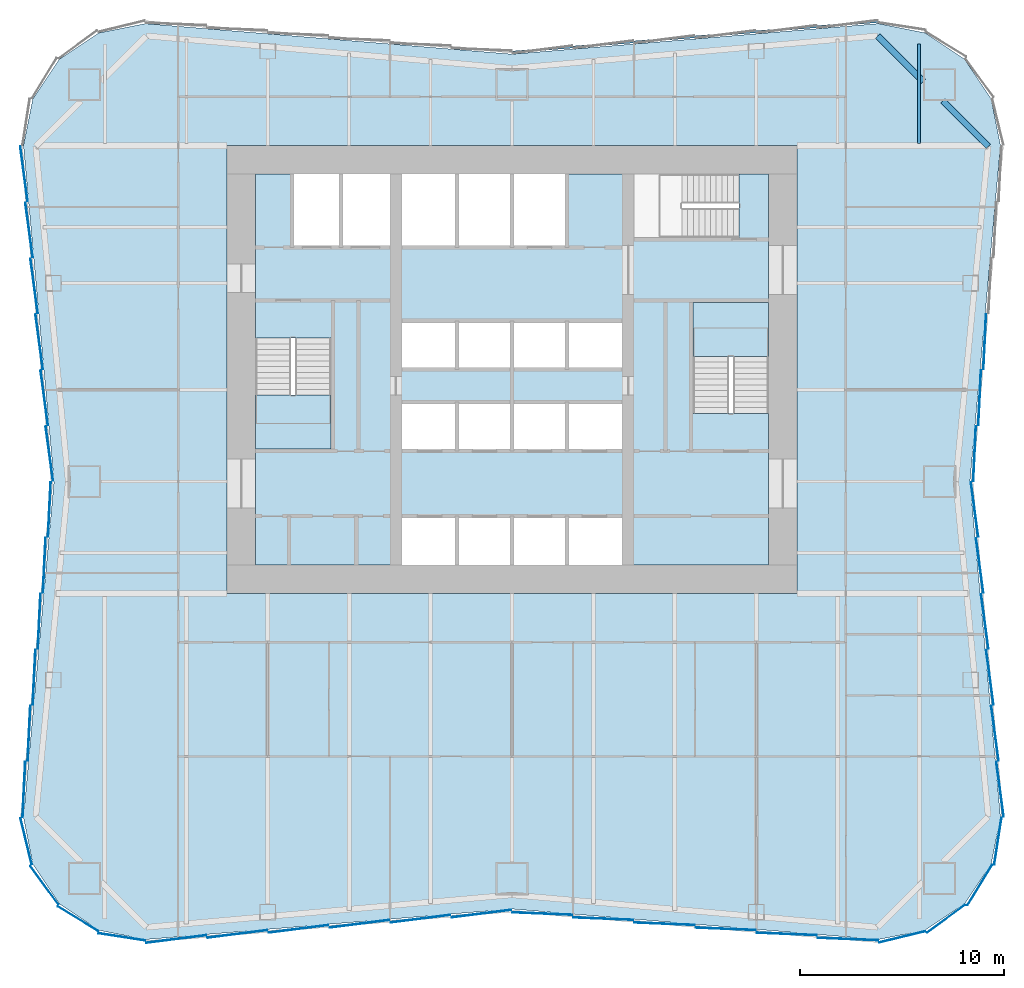
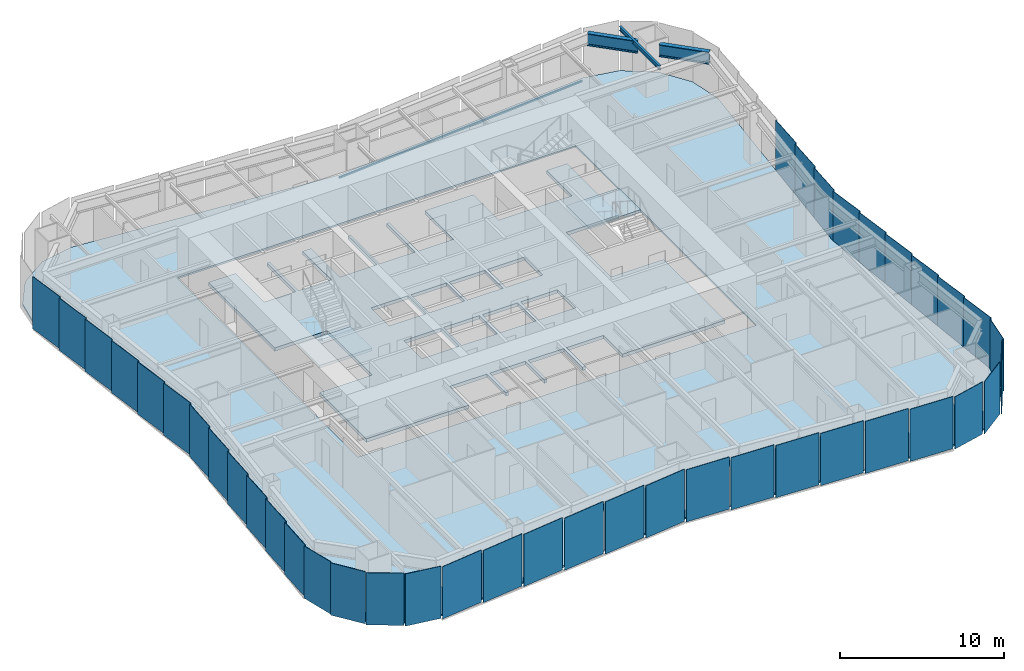
# One storey, part 2 of 7: 41 plates, 4 slabs, 3 beams, 1 member, 8 elements without a shape of their own.
"""IFC4 building model written with IfcOpenShell, lengths in metres."""

from ifc_helpers import new_model, si_unit, direction, frame, origin, origin_2d, place, context, subcontext, project, spatial, polyline, rectangle, i_section, outline, extrude, material, layer, layer_set, material_profile, profile_set, type_object, element, aggregate, save


model = new_model("IFC4")

# Units and contexts
model_context = context("Model", 3, precision=1e-05, world=origin(), true_north=direction((0.0, 1.0)))
body_context = subcontext(model_context, "Body", "Model", "MODEL_VIEW")
ifc_project = project(units=[si_unit("LENGTHUNIT", "METRE"), si_unit("AREAUNIT", "SQUARE_METRE"), si_unit("VOLUMEUNIT", "CUBIC_METRE"), si_unit("PLANEANGLEUNIT", "RADIAN"), si_unit("MASSUNIT", "GRAM", prefix="KILO")], contexts=[model_context])

# Site, building, storey
site_placement = place(None, origin())
site = spatial("IfcSite", under=ifc_project, at=site_placement, CompositionType="ELEMENT")
building_placement = place(site_placement, origin())
building = spatial("IfcBuilding", under=site, at=building_placement, Name="Verdant Reach Tower", CompositionType="ELEMENT")
storey_placement = place(building_placement, frame((0.0, 0.0, 54.0)))
storey = spatial("IfcBuildingStorey", under=building, at=storey_placement, Name="L12", CompositionType="ELEMENT", Elevation=54.0)

# Curtain wall, member
ifc_material_1 = material(Name="Anodised aluminium", Category="aluminium")
curtain_wall_type = type_object("IfcCurtainWallType", Name="EN-CW SYSTEM Z0", PredefinedType="NOTDEFINED", material=ifc_material_1)
curtain_wall_1_placement = place(storey_placement, origin())
curtain_wall_1 = element("IfcCurtainWall", 1, at=curtain_wall_1_placement, inside=storey, type_object=curtain_wall_type, Name="Curtain wall north, L12", PredefinedType="NOTDEFINED")
ifc_material_profile_1 = material_profile(ifc_material_1, rectangle(XDim=0.10009765625, YDim=0.1201171875, at=origin_2d()), Name="Transom 120x100")
ifc_profile_set_1 = profile_set([ifc_material_profile_1], Name="Anodised aluminium")
member_type = type_object("IfcMemberType", Name="EN-TRANSOM Z0", PredefinedType="USERDEFINED", material=ifc_profile_set_1)
member_placement = place(storey_placement, frame((17.975830078125, 45.097412109375, -0.2900390625), z_axis=(-0.996548656072, -0.083010698588, 0.0), x_axis=(0.083010698588, -0.996548656072, 0.0)))
member = element("IfcMember", 2, at=member_placement, type_object=member_type, Name="Transom north face part 1 1.1, L12", ObjectType="TRANSOM", PredefinedType="USERDEFINED", context=body_context, shape_type="SweptSolid", body=[
    extrude(rectangle(XDim=0.10009765625, YDim=0.1201171875, at=origin_2d()), origin(), (0.0, 0.0, 1.0), 18.00830078125),
])
aggregate(curtain_wall_1, [member])

# Beams
ifc_material_2 = material(Name="Steel S355", Category="steel")
ifc_material_profile_2 = material_profile(ifc_material_2, i_section(OverallWidth=0.14990234375, OverallDepth=0.300048828125, WebThickness=0.007080078125, FlangeThickness=0.0107421875, FilletRadius=0.014892578125, at=origin_2d()), Name="IPE 300")
ifc_profile_set_2 = profile_set([ifc_material_profile_2], Name="Steel S355")
beam_type_1 = type_object("IfcBeamType", Name="ST-JOIST-IPE300", PredefinedType="JOIST", material=ifc_profile_set_2)
beam_1_placement = place(storey_placement, frame((20.0, 39.10009765625, 3.60009765625), z_axis=(0.0, 1.0, 0.0), x_axis=(-1.0, 0.0, 0.0)))
element("IfcBeam", 3, at=beam_1_placement, inside=storey, type_object=beam_type_1, Name="Floor joist, L12", PredefinedType="JOIST", context=body_context, shape_type="SweptSolid", body=[
    extrude(i_section(OverallWidth=0.14990234375, OverallDepth=0.300048828125, WebThickness=0.007080078125, FlangeThickness=0.0107421875, FilletRadius=0.014892578125, at=origin_2d()), origin(), (0.0, 0.0, 1.0), 4.890380859375),
])
ifc_material_profile_3 = material_profile(ifc_material_2, i_section(OverallWidth=0.302001953125, OverallDepth=0.909912109375, WebThickness=0.02099609375, FlangeThickness=0.0400390625, FilletRadius=0.030029296875, at=origin_2d()), Name="HEM 900")
ifc_profile_set_3 = profile_set([ifc_material_profile_3], Name="Steel S355")
beam_type_2 = type_object("IfcBeamType", Name="ST-SPANDREL-HEM900", PredefinedType="SPANDREL", material=ifc_profile_set_3)
beam_2_placement = place(storey_placement, frame((17.9658203125, 44.39501953125, 3.294921875), z_axis=(0.707222697162, -0.706990846206, 0.0), x_axis=(0.706990846206, 0.707222697162, 0.0)))
element("IfcBeam", 4, at=beam_2_placement, inside=storey, type_object=beam_type_2, Name="Edge beam, L12", PredefinedType="SPANDREL", context=body_context, shape_type="SweptSolid", body=[
    extrude(i_section(OverallWidth=0.302001953125, OverallDepth=0.909912109375, WebThickness=0.02099609375, FlangeThickness=0.0400390625, FilletRadius=0.030029296875, at=origin_2d()), origin(), (0.0, 0.0, 1.0), 3.158935546875),
])
beam_3_placement = place(storey_placement, frame((21.161865234375, 41.199951171875, 3.294921875), z_axis=(0.70722277322, -0.706990770123, 0.0), x_axis=(0.706990770123, 0.70722277322, 0.0)))
element("IfcBeam", 5, at=beam_3_placement, inside=storey, type_object=beam_type_2, Name="Edge beam, L12", PredefinedType="SPANDREL", context=body_context, shape_type="SweptSolid", body=[
    extrude(i_section(OverallWidth=0.302001953125, OverallDepth=0.909912109375, WebThickness=0.02099609375, FlangeThickness=0.0400390625, FilletRadius=0.030029296875, at=origin_2d()), origin(), (0.0, 0.0, 1.0), 3.156982421875),
])

# Stair, slab
ifc_material_3 = material(Name="Concrete C40/50", Category="concrete")
stair_type = type_object("IfcStairType", Name="CO-STAIR", PredefinedType="HALF_TURN_STAIR", material=ifc_material_3)
stair_1_placement = place(storey_placement, origin())
stair_1 = element("IfcStair", 6, at=stair_1_placement, inside=storey, type_object=stair_type, Name="L12 Exit stair 1", PredefinedType="HALF_TURN_STAIR")
ifc_layer_1 = layer(ifc_material_3, 0.199951171875)
ifc_layer_set_1 = layer_set([ifc_layer_1], Name="CO-STAIR-LANDING")
slab_type_1 = type_object("IfcSlabType", Name="CO-STAIR-LANDING", PredefinedType="LANDING", material=ifc_layer_set_1)
slab_1_placement = place(storey_placement, frame((0.0, 0.0, 1.800048828125)))
slab_1 = element("IfcSlab", 7, at=slab_1_placement, type_object=slab_type_1, Name="ST-1 landing 1", PredefinedType="LANDING", context=body_context, shape_type="SweptSolid", body=[
    extrude(outline(polyline([(-12.60009765625, 26.75), (-12.60009765625, 24.10009765625), (-8.89990234375, 24.10009765625), (-8.89990234375, 26.75), (-12.60009765625, 26.75)])), origin(), (0.0, 0.0, 1.0), 0.199951171875),
])
aggregate(stair_1, [slab_1])

stair_2_placement = place(storey_placement, origin())
stair_2 = element("IfcStair", 8, at=stair_2_placement, inside=storey, type_object=stair_type, Name="L12 Exit stair 2", PredefinedType="HALF_TURN_STAIR")
slab_2_placement = place(storey_placement, frame((0.0, 0.0, 1.800048828125)))
slab_2 = element("IfcSlab", 9, at=slab_2_placement, type_object=slab_type_1, Name="ST-2 landing 1", PredefinedType="LANDING", context=body_context, shape_type="SweptSolid", body=[
    extrude(outline(polyline([(12.60009765625, 28.64990234375), (12.60009765625, 31.300048828125), (8.89990234375, 31.300048828125), (8.89990234375, 28.64990234375), (12.60009765625, 28.64990234375)])), origin(), (0.0, 0.0, 1.0), 0.199951171875),
])
aggregate(stair_2, [slab_2])

# Curtain wall, plates
curtain_wall_2_placement = place(storey_placement, origin())
curtain_wall_2 = element("IfcCurtainWall", 10, at=curtain_wall_2_placement, inside=storey, type_object=curtain_wall_type, Name="Curtain wall south-east corner, L12", PredefinedType="NOTDEFINED")
ifc_material_4 = material(Name="Tinted glass with champagne spandrel", Category="glass")
ifc_layer_2 = layer(ifc_material_4, 0.031982421875)
ifc_layer_set_2 = layer_set([ifc_layer_2], Name="EN-PANEL CHAMPAGNE")
plate_type_1 = type_object("IfcPlateType", Name="EN-PANEL CHAMPAGNE", PredefinedType="CURTAIN_PANEL", material=ifc_layer_set_2)
plate_1_placement = place(storey_placement, frame((19.169921875, 0.13232421875, -0.22998046875), z_axis=(0.0, 0.0, 1.0), x_axis=(0.97166347331, 0.236368556782, 0.0)))
plate_1 = element("IfcPlate", 11, at=plate_1_placement, type_object=plate_type_1, Name="Glass panel south-east corner 1.1, L12", PredefinedType="CURTAIN_PANEL", context=body_context, shape_type="SweptSolid", body=[
    extrude(rectangle(XDim=2.318603515625, YDim=0.031982421875, at=origin_2d()), origin(), (0.0, 0.0, 1.0), 3.8798828125),
])
plate_2_placement = place(storey_placement, frame((21.32373046875, 1.025390625, -0.22998046875), z_axis=(0.0, 0.0, 1.0), x_axis=(0.807456745624, 0.589926778461, 0.0)))
plate_2 = element("IfcPlate", 12, at=plate_2_placement, type_object=plate_type_1, Name="Glass panel south-east corner 2.1, L12", PredefinedType="CURTAIN_PANEL", context=body_context, shape_type="SweptSolid", body=[
    extrude(rectangle(XDim=2.32421875, YDim=0.031982421875, at=origin_2d()), origin(), (0.0, 0.0, 1.0), 3.8798828125),
])

curtain_wall_3_placement = place(storey_placement, origin())
curtain_wall_3 = element("IfcCurtainWall", 13, at=curtain_wall_3_placement, inside=storey, type_object=curtain_wall_type, Name="Curtain wall east, L12", PredefinedType="NOTDEFINED")
plate_3_placement = place(storey_placement, frame((23.974609375, 7.376953125, -0.22998046875), z_axis=(0.0, 0.0, 1.0), x_axis=(-0.131792939527, 0.991277267514, 0.0)))
plate_3 = element("IfcPlate", 14, at=plate_3_placement, type_object=plate_type_1, Name="Glass panel east face part 1 1.1, L12", PredefinedType="CURTAIN_PANEL", context=body_context, shape_type="SweptSolid", body=[
    extrude(rectangle(XDim=2.7197265625, YDim=0.031982421875, at=origin_2d()), origin(), (0.0, 0.0, 1.0), 3.8798828125),
])
plate_4_placement = place(storey_placement, frame((22.724853515625, 23.870361328125, -0.22998046875), z_axis=(0.0, 0.0, 1.0), x_axis=(0.048901687644, 0.998803596782, 0.0)))
plate_4 = element("IfcPlate", 15, at=plate_4_placement, type_object=plate_type_1, Name="Glass panel east face part 2 1.1, L12", PredefinedType="CURTAIN_PANEL", context=body_context, shape_type="SweptSolid", body=[
    extrude(rectangle(XDim=2.6962890625, YDim=0.031982421875, at=origin_2d()), origin(), (0.0, 0.0, 1.0), 3.8798828125),
])
plate_5_placement = place(storey_placement, frame((22.974609375, 26.615966796875, -0.22998046875), z_axis=(0.0, 0.0, 1.0), x_axis=(0.04875265175, 0.998810882473, 0.0)))
plate_5 = element("IfcPlate", 16, at=plate_5_placement, type_object=plate_type_1, Name="Glass panel east face part 2 2.1, L12", PredefinedType="CURTAIN_PANEL", context=body_context, shape_type="SweptSolid", body=[
    extrude(rectangle(XDim=2.705322265625, YDim=0.031982421875, at=origin_2d()), origin(), (0.0, 0.0, 1.0), 3.8798828125),
])

curtain_wall_4_placement = place(storey_placement, origin())
curtain_wall_4 = element("IfcCurtainWall", 17, at=curtain_wall_4_placement, inside=storey, type_object=curtain_wall_type, Name="Curtain wall west, L12", PredefinedType="NOTDEFINED")
plate_6_placement = place(storey_placement, frame((-23.474609375, 32.115966796875, -0.22998046875), z_axis=(0.0, 0.0, 1.0), x_axis=(0.132160009881, -0.99122839537, 0.0)))
plate_6 = element("IfcPlate", 18, at=plate_6_placement, type_object=plate_type_1, Name="Glass panel west face part 1 3.1, L12", PredefinedType="CURTAIN_PANEL", context=body_context, shape_type="SweptSolid", body=[
    extrude(rectangle(XDim=2.705322265625, YDim=0.031982421875, at=origin_2d()), origin(), (0.0, 0.0, 1.0), 3.8798828125),
])
plate_7_placement = place(storey_placement, frame((-23.224609375, 29.365966796875, -0.22998046875), z_axis=(0.0, 0.0, 1.0), x_axis=(0.132160009881, -0.99122839537, 0.0)))
plate_7 = element("IfcPlate", 19, at=plate_7_placement, type_object=plate_type_1, Name="Glass panel west face part 1 4.1, L12", PredefinedType="CURTAIN_PANEL", context=body_context, shape_type="SweptSolid", body=[
    extrude(rectangle(XDim=2.705322265625, YDim=0.031982421875, at=origin_2d()), origin(), (0.0, 0.0, 1.0), 3.8798828125),
])
plate_8_placement = place(storey_placement, frame((-22.974609375, 26.615966796875, -0.22998046875), z_axis=(0.0, 0.0, 1.0), x_axis=(0.132160009881, -0.99122839537, 0.0)))
plate_8 = element("IfcPlate", 20, at=plate_8_placement, type_object=plate_type_1, Name="Glass panel west face part 1 5.1, L12", PredefinedType="CURTAIN_PANEL", context=body_context, shape_type="SweptSolid", body=[
    extrude(rectangle(XDim=2.705322265625, YDim=0.031982421875, at=origin_2d()), origin(), (0.0, 0.0, 1.0), 3.8798828125),
])
plate_9_placement = place(storey_placement, frame((-23.724609375, 10.134033203125, -0.22998046875), z_axis=(0.0, 0.0, 1.0), x_axis=(-0.04875265175, -0.998810882473, 0.0)))
plate_9 = element("IfcPlate", 21, at=plate_9_placement, type_object=plate_type_1, Name="Glass panel west face part 2 5.1, L12", PredefinedType="CURTAIN_PANEL", context=body_context, shape_type="SweptSolid", body=[
    extrude(rectangle(XDim=2.705322265625, YDim=0.031982421875, at=origin_2d()), origin(), (0.0, 0.0, 1.0), 3.8798828125),
])
plate_10_placement = place(storey_placement, frame((-23.974609375, 7.376953125, -0.22998046875), z_axis=(0.0, 0.0, 1.0), x_axis=(-0.048382779248, -0.998828867561, 0.0)))
plate_10 = element("IfcPlate", 22, at=plate_10_placement, type_object=plate_type_1, Name="Glass panel west face part 2 6.1, L12", PredefinedType="CURTAIN_PANEL", context=body_context, shape_type="SweptSolid", body=[
    extrude(rectangle(XDim=2.7197265625, YDim=0.031982421875, at=origin_2d()), origin(), (0.0, 0.0, 1.0), 3.8798828125),
])

curtain_wall_5_placement = place(storey_placement, origin())
curtain_wall_5 = element("IfcCurtainWall", 23, at=curtain_wall_5_placement, inside=storey, type_object=curtain_wall_type, Name="Curtain wall south-west corner, L12", PredefinedType="NOTDEFINED")
plate_11_placement = place(storey_placement, frame((-21.32373046875, 1.025390625, -0.22998046875), z_axis=(0.0, 0.0, 1.0), x_axis=(0.853988681713, -0.520291583159, 0.0)))
plate_11 = element("IfcPlate", 24, at=plate_11_placement, type_object=plate_type_1, Name="Glass panel south-west corner 3.1, L12", PredefinedType="CURTAIN_PANEL", context=body_context, shape_type="SweptSolid", body=[
    extrude(rectangle(XDim=2.32421875, YDim=0.031982421875, at=origin_2d()), origin(), (0.0, 0.0, 1.0), 3.8798828125),
])
plate_12_placement = place(storey_placement, frame((-19.169921875, 0.13232421875, -0.22998046875), z_axis=(0.0, 0.0, 1.0), x_axis=(0.98803452381, -0.154232875093, 0.0)))
plate_12 = element("IfcPlate", 25, at=plate_12_placement, type_object=plate_type_1, Name="Glass panel south-west corner 4.1, L12", PredefinedType="CURTAIN_PANEL", context=body_context, shape_type="SweptSolid", body=[
    extrude(rectangle(XDim=2.318603515625, YDim=0.031982421875, at=origin_2d()), origin(), (0.0, 0.0, 1.0), 3.8798828125),
])

curtain_wall_6_placement = place(storey_placement, origin())
curtain_wall_6 = element("IfcCurtainWall", 26, at=curtain_wall_6_placement, inside=storey, type_object=curtain_wall_type, Name="Curtain wall south, L12", PredefinedType="NOTDEFINED")
plate_13_placement = place(storey_placement, frame((-16.498779296875, 0.025146484375, -0.22998046875), z_axis=(0.0, 0.0, 1.0), x_axis=(0.992234176789, 0.124383835008, 0.0)))
plate_13 = element("IfcPlate", 27, at=plate_13_placement, type_object=plate_type_1, Name="Glass panel south face part 1 1.1, L12", PredefinedType="CURTAIN_PANEL", context=body_context, shape_type="SweptSolid", body=[
    extrude(rectangle(XDim=2.96826171875, YDim=0.031982421875, at=origin_2d()), origin(), (0.0, 0.0, 1.0), 3.8798828125),
])
plate_14_placement = place(storey_placement, frame((-13.49169921875, 0.275390625, -0.22998046875), z_axis=(0.0, 0.0, 1.0), x_axis=(0.992194034542, 0.124703639961, 0.0)))
plate_14 = element("IfcPlate", 28, at=plate_14_placement, type_object=plate_type_1, Name="Glass panel south face part 1 2.1, L12", PredefinedType="CURTAIN_PANEL", context=body_context, shape_type="SweptSolid", body=[
    extrude(rectangle(XDim=2.954345703125, YDim=0.031982421875, at=origin_2d()), origin(), (0.0, 0.0, 1.0), 3.8798828125),
])
plate_15_placement = place(storey_placement, frame((4.49169921875, 1.025390625, -0.22998046875), z_axis=(0.0, 0.0, 1.0), x_axis=(0.999149202059, -0.041241629766, 0.0)))
plate_15 = element("IfcPlate", 29, at=plate_15_placement, type_object=plate_type_1, Name="Glass panel south face part 2 2.1, L12", PredefinedType="CURTAIN_PANEL", context=body_context, shape_type="SweptSolid", body=[
    extrude(rectangle(XDim=2.954345703125, YDim=0.031982421875, at=origin_2d()), origin(), (0.0, 0.0, 1.0), 3.8798828125),
])
plate_16_placement = place(storey_placement, frame((7.49169921875, 0.775390625, -0.22998046875), z_axis=(0.0, 0.0, 1.0), x_axis=(0.999149202059, -0.041241629766, 0.0)))
plate_16 = element("IfcPlate", 30, at=plate_16_placement, type_object=plate_type_1, Name="Glass panel south face part 2 3.1, L12", PredefinedType="CURTAIN_PANEL", context=body_context, shape_type="SweptSolid", body=[
    extrude(rectangle(XDim=2.954345703125, YDim=0.031982421875, at=origin_2d()), origin(), (0.0, 0.0, 1.0), 3.8798828125),
])
plate_17_placement = place(storey_placement, frame((10.49169921875, 0.525390625, -0.22998046875), z_axis=(0.0, 0.0, 1.0), x_axis=(0.999149202059, -0.041241629766, 0.0)))
plate_17 = element("IfcPlate", 31, at=plate_17_placement, type_object=plate_type_1, Name="Glass panel south face part 2 4.1, L12", PredefinedType="CURTAIN_PANEL", context=body_context, shape_type="SweptSolid", body=[
    extrude(rectangle(XDim=2.954345703125, YDim=0.031982421875, at=origin_2d()), origin(), (0.0, 0.0, 1.0), 3.8798828125),
])

# Plate
ifc_material_5 = material(Name="Tinted glass with copper spandrel", Category="glass")
ifc_layer_3 = layer(ifc_material_5, 0.031982421875)
ifc_layer_set_3 = layer_set([ifc_layer_3], Name="EN-PANEL COPPER")
plate_type_2 = type_object("IfcPlateType", Name="EN-PANEL COPPER", PredefinedType="CURTAIN_PANEL", material=ifc_layer_set_3)
plate_18_placement = place(storey_placement, frame((22.974609375, 2.67626953125, -0.22998046875), z_axis=(0.0, 0.0, 1.0), x_axis=(0.520291583159, 0.853988681713, 0.0)))
plate_18 = element("IfcPlate", 32, at=plate_18_placement, type_object=plate_type_2, Name="Glass panel south-east corner 3.1, L12", PredefinedType="CURTAIN_PANEL", context=body_context, shape_type="SweptSolid", body=[
    extrude(rectangle(XDim=2.32421875, YDim=0.031982421875, at=origin_2d()), origin(), (0.0, 0.0, 1.0), 3.8798828125),
])

plate_19_placement = place(storey_placement, frame((23.86767578125, 4.830078125, -0.22998046875), z_axis=(0.0, 0.0, 1.0), x_axis=(0.154210737778, 0.988037979206, 0.0)))
plate_19 = element("IfcPlate", 33, at=plate_19_placement, type_object=plate_type_2, Name="Glass panel south-east corner 4.1, L12", PredefinedType="CURTAIN_PANEL", context=body_context, shape_type="SweptSolid", body=[
    extrude(rectangle(XDim=2.31884765625, YDim=0.031982421875, at=origin_2d()), origin(), (0.0, 0.0, 1.0), 3.8798828125),
])

aggregate(curtain_wall_2, [plate_1, plate_2, plate_18, plate_19])

plate_20_placement = place(storey_placement, frame((23.724609375, 10.134033203125, -0.22998046875), z_axis=(0.0, 0.0, 1.0), x_axis=(-0.132160009881, 0.99122839537, 0.0)))
plate_20 = element("IfcPlate", 34, at=plate_20_placement, type_object=plate_type_2, Name="Glass panel east face part 1 2.1, L12", PredefinedType="CURTAIN_PANEL", context=body_context, shape_type="SweptSolid", body=[
    extrude(rectangle(XDim=2.705322265625, YDim=0.031982421875, at=origin_2d()), origin(), (0.0, 0.0, 1.0), 3.8798828125),
])

plate_21_placement = place(storey_placement, frame((23.474609375, 12.884033203125, -0.22998046875), z_axis=(0.0, 0.0, 1.0), x_axis=(-0.132160009881, 0.99122839537, 0.0)))
plate_21 = element("IfcPlate", 35, at=plate_21_placement, type_object=plate_type_2, Name="Glass panel east face part 1 3.1, L12", PredefinedType="CURTAIN_PANEL", context=body_context, shape_type="SweptSolid", body=[
    extrude(rectangle(XDim=2.705322265625, YDim=0.031982421875, at=origin_2d()), origin(), (0.0, 0.0, 1.0), 3.8798828125),
])

plate_22_placement = place(storey_placement, frame((23.224609375, 29.365966796875, -0.22998046875), z_axis=(0.0, 0.0, 1.0), x_axis=(0.04875265175, 0.998810882473, 0.0)))
plate_22 = element("IfcPlate", 36, at=plate_22_placement, type_object=plate_type_2, Name="Glass panel east face part 2 3.1, L12", PredefinedType="CURTAIN_PANEL", context=body_context, shape_type="SweptSolid", body=[
    extrude(rectangle(XDim=2.705322265625, YDim=0.031982421875, at=origin_2d()), origin(), (0.0, 0.0, 1.0), 3.8798828125),
])

plate_23_placement = place(storey_placement, frame((-22.724853515625, 23.870361328125, -0.22998046875), z_axis=(0.0, 0.0, 1.0), x_axis=(0.132307913434, -0.991208664229, 0.0)))
plate_23 = element("IfcPlate", 37, at=plate_23_placement, type_object=plate_type_2, Name="Glass panel west face part 1 6.1, L12", PredefinedType="CURTAIN_PANEL", context=body_context, shape_type="SweptSolid", body=[
    extrude(rectangle(XDim=2.6962890625, YDim=0.031982421875, at=origin_2d()), origin(), (0.0, 0.0, 1.0), 3.8798828125),
])

plate_24_placement = place(storey_placement, frame((-22.724853515625, 21.129638671875, -0.22998046875), z_axis=(0.0, 0.0, 1.0), x_axis=(-0.048901687644, -0.998803596782, 0.0)))
plate_24 = element("IfcPlate", 38, at=plate_24_placement, type_object=plate_type_2, Name="Glass panel west face part 2 1.1, L12", PredefinedType="CURTAIN_PANEL", context=body_context, shape_type="SweptSolid", body=[
    extrude(rectangle(XDim=2.6962890625, YDim=0.031982421875, at=origin_2d()), origin(), (0.0, 0.0, 1.0), 3.8798828125),
])

plate_25_placement = place(storey_placement, frame((-10.49169921875, 0.525390625, -0.22998046875), z_axis=(0.0, 0.0, 1.0), x_axis=(0.992194034542, 0.124703639961, 0.0)))
plate_25 = element("IfcPlate", 39, at=plate_25_placement, type_object=plate_type_2, Name="Glass panel south face part 1 3.1, L12", PredefinedType="CURTAIN_PANEL", context=body_context, shape_type="SweptSolid", body=[
    extrude(rectangle(XDim=2.954345703125, YDim=0.031982421875, at=origin_2d()), origin(), (0.0, 0.0, 1.0), 3.8798828125),
])

plate_26_placement = place(storey_placement, frame((-7.49169921875, 0.775390625, -0.22998046875), z_axis=(0.0, 0.0, 1.0), x_axis=(0.992194034542, 0.124703639961, 0.0)))
plate_26 = element("IfcPlate", 40, at=plate_26_placement, type_object=plate_type_2, Name="Glass panel south face part 1 4.1, L12", PredefinedType="CURTAIN_PANEL", context=body_context, shape_type="SweptSolid", body=[
    extrude(rectangle(XDim=2.954345703125, YDim=0.031982421875, at=origin_2d()), origin(), (0.0, 0.0, 1.0), 3.8798828125),
])

plate_27_placement = place(storey_placement, frame((-4.49169921875, 1.025390625, -0.22998046875), z_axis=(0.0, 0.0, 1.0), x_axis=(0.992194034542, 0.124703639961, 0.0)))
plate_27 = element("IfcPlate", 41, at=plate_27_placement, type_object=plate_type_2, Name="Glass panel south face part 1 5.1, L12", PredefinedType="CURTAIN_PANEL", context=body_context, shape_type="SweptSolid", body=[
    extrude(rectangle(XDim=2.954345703125, YDim=0.031982421875, at=origin_2d()), origin(), (0.0, 0.0, 1.0), 3.8798828125),
])

plate_28_placement = place(storey_placement, frame((13.49169921875, 0.275390625, -0.22998046875), z_axis=(0.0, 0.0, 1.0), x_axis=(0.999149202059, -0.041241629766, 0.0)))
plate_28 = element("IfcPlate", 42, at=plate_28_placement, type_object=plate_type_2, Name="Glass panel south face part 2 5.1, L12", PredefinedType="CURTAIN_PANEL", context=body_context, shape_type="SweptSolid", body=[
    extrude(rectangle(XDim=2.954345703125, YDim=0.031982421875, at=origin_2d()), origin(), (0.0, 0.0, 1.0), 3.8798828125),
])

plate_29_placement = place(storey_placement, frame((16.498779296875, 0.025146484375, -0.22998046875), z_axis=(0.0, 0.0, 1.0), x_axis=(0.999162442933, -0.040919587398, 0.0)))
plate_29 = element("IfcPlate", 43, at=plate_29_placement, type_object=plate_type_2, Name="Glass panel south face part 2 6.1, L12", PredefinedType="CURTAIN_PANEL", context=body_context, shape_type="SweptSolid", body=[
    extrude(rectangle(XDim=2.96826171875, YDim=0.031982421875, at=origin_2d()), origin(), (0.0, 0.0, 1.0), 3.8798828125),
])

ifc_material_6 = material(Name="Tinted glass with dark bronze spandrel", Category="glass")
ifc_layer_4 = layer(ifc_material_6, 0.031982421875)
ifc_layer_set_4 = layer_set([ifc_layer_4], Name="EN-PANEL DARK")
plate_type_3 = type_object("IfcPlateType", Name="EN-PANEL DARK", PredefinedType="CURTAIN_PANEL", material=ifc_layer_set_4)
plate_30_placement = place(storey_placement, frame((23.224609375, 15.634033203125, -0.22998046875), z_axis=(0.0, 0.0, 1.0), x_axis=(-0.132160009881, 0.99122839537, 0.0)))
plate_30 = element("IfcPlate", 44, at=plate_30_placement, type_object=plate_type_3, Name="Glass panel east face part 1 4.1, L12", PredefinedType="CURTAIN_PANEL", context=body_context, shape_type="SweptSolid", body=[
    extrude(rectangle(XDim=2.705322265625, YDim=0.031982421875, at=origin_2d()), origin(), (0.0, 0.0, 1.0), 3.8798828125),
])

plate_31_placement = place(storey_placement, frame((22.974609375, 18.384033203125, -0.22998046875), z_axis=(0.0, 0.0, 1.0), x_axis=(-0.132160009881, 0.99122839537, 0.0)))
plate_31 = element("IfcPlate", 45, at=plate_31_placement, type_object=plate_type_3, Name="Glass panel east face part 1 5.1, L12", PredefinedType="CURTAIN_PANEL", context=body_context, shape_type="SweptSolid", body=[
    extrude(rectangle(XDim=2.705322265625, YDim=0.031982421875, at=origin_2d()), origin(), (0.0, 0.0, 1.0), 3.8798828125),
])

plate_32_placement = place(storey_placement, frame((22.724853515625, 21.129638671875, -0.22998046875), z_axis=(0.0, 0.0, 1.0), x_axis=(-0.132307913434, 0.991208664229, 0.0)))
plate_32 = element("IfcPlate", 46, at=plate_32_placement, type_object=plate_type_3, Name="Glass panel east face part 1 6.1, L12", PredefinedType="CURTAIN_PANEL", context=body_context, shape_type="SweptSolid", body=[
    extrude(rectangle(XDim=2.6962890625, YDim=0.031982421875, at=origin_2d()), origin(), (0.0, 0.0, 1.0), 3.8798828125),
])

aggregate(curtain_wall_3, [plate_3, plate_20, plate_21, plate_30, plate_31, plate_32, plate_4, plate_5, plate_22])

plate_33_placement = place(storey_placement, frame((-23.974609375, 37.623046875, -0.22998046875), z_axis=(0.0, 0.0, 1.0), x_axis=(0.131792939527, -0.991277267514, 0.0)))
plate_33 = element("IfcPlate", 47, at=plate_33_placement, type_object=plate_type_3, Name="Glass panel west face part 1 1.1, L12", PredefinedType="CURTAIN_PANEL", context=body_context, shape_type="SweptSolid", body=[
    extrude(rectangle(XDim=2.7197265625, YDim=0.031982421875, at=origin_2d()), origin(), (0.0, 0.0, 1.0), 3.8798828125),
])

plate_34_placement = place(storey_placement, frame((-23.724609375, 34.865966796875, -0.22998046875), z_axis=(0.0, 0.0, 1.0), x_axis=(0.132160009881, -0.99122839537, 0.0)))
plate_34 = element("IfcPlate", 48, at=plate_34_placement, type_object=plate_type_3, Name="Glass panel west face part 1 2.1, L12", PredefinedType="CURTAIN_PANEL", context=body_context, shape_type="SweptSolid", body=[
    extrude(rectangle(XDim=2.705322265625, YDim=0.031982421875, at=origin_2d()), origin(), (0.0, 0.0, 1.0), 3.8798828125),
])

plate_35_placement = place(storey_placement, frame((-22.974609375, 18.384033203125, -0.22998046875), z_axis=(0.0, 0.0, 1.0), x_axis=(-0.04875265175, -0.998810882473, 0.0)))
plate_35 = element("IfcPlate", 49, at=plate_35_placement, type_object=plate_type_3, Name="Glass panel west face part 2 2.1, L12", PredefinedType="CURTAIN_PANEL", context=body_context, shape_type="SweptSolid", body=[
    extrude(rectangle(XDim=2.705322265625, YDim=0.031982421875, at=origin_2d()), origin(), (0.0, 0.0, 1.0), 3.8798828125),
])

plate_36_placement = place(storey_placement, frame((-23.224609375, 15.634033203125, -0.22998046875), z_axis=(0.0, 0.0, 1.0), x_axis=(-0.04875265175, -0.998810882473, 0.0)))
plate_36 = element("IfcPlate", 50, at=plate_36_placement, type_object=plate_type_3, Name="Glass panel west face part 2 3.1, L12", PredefinedType="CURTAIN_PANEL", context=body_context, shape_type="SweptSolid", body=[
    extrude(rectangle(XDim=2.705322265625, YDim=0.031982421875, at=origin_2d()), origin(), (0.0, 0.0, 1.0), 3.8798828125),
])

plate_37_placement = place(storey_placement, frame((-23.474609375, 12.884033203125, -0.22998046875), z_axis=(0.0, 0.0, 1.0), x_axis=(-0.04875265175, -0.998810882473, 0.0)))
plate_37 = element("IfcPlate", 51, at=plate_37_placement, type_object=plate_type_3, Name="Glass panel west face part 2 4.1, L12", PredefinedType="CURTAIN_PANEL", context=body_context, shape_type="SweptSolid", body=[
    extrude(rectangle(XDim=2.705322265625, YDim=0.031982421875, at=origin_2d()), origin(), (0.0, 0.0, 1.0), 3.8798828125),
])

aggregate(curtain_wall_4, [plate_33, plate_34, plate_6, plate_7, plate_8, plate_23, plate_24, plate_35, plate_36, plate_37, plate_9, plate_10])

plate_38_placement = place(storey_placement, frame((-23.86767578125, 4.830078125, -0.22998046875), z_axis=(0.0, 0.0, 1.0), x_axis=(0.236346786246, -0.97166876899, 0.0)))
plate_38 = element("IfcPlate", 52, at=plate_38_placement, type_object=plate_type_3, Name="Glass panel south-west corner 1.1, L12", PredefinedType="CURTAIN_PANEL", context=body_context, shape_type="SweptSolid", body=[
    extrude(rectangle(XDim=2.31884765625, YDim=0.031982421875, at=origin_2d()), origin(), (0.0, 0.0, 1.0), 3.8798828125),
])

plate_39_placement = place(storey_placement, frame((-22.974609375, 2.67626953125, -0.22998046875), z_axis=(0.0, 0.0, 1.0), x_axis=(0.589926778461, -0.807456745624, 0.0)))
plate_39 = element("IfcPlate", 53, at=plate_39_placement, type_object=plate_type_3, Name="Glass panel south-west corner 2.1, L12", PredefinedType="CURTAIN_PANEL", context=body_context, shape_type="SweptSolid", body=[
    extrude(rectangle(XDim=2.32421875, YDim=0.031982421875, at=origin_2d()), origin(), (0.0, 0.0, 1.0), 3.8798828125),
])

aggregate(curtain_wall_5, [plate_38, plate_39, plate_11, plate_12])

plate_40_placement = place(storey_placement, frame((-1.495849609375, 1.275146484375, -0.22998046875), z_axis=(0.0, 0.0, 1.0), x_axis=(0.992179679439, 0.124817802047, 0.0)))
plate_40 = element("IfcPlate", 54, at=plate_40_placement, type_object=plate_type_3, Name="Glass panel south face part 1 6.1, L12", PredefinedType="CURTAIN_PANEL", context=body_context, shape_type="SweptSolid", body=[
    extrude(rectangle(XDim=2.946044921875, YDim=0.031982421875, at=origin_2d()), origin(), (0.0, 0.0, 1.0), 3.8798828125),
])

plate_41_placement = place(storey_placement, frame((1.495849609375, 1.275146484375, -0.22998046875), z_axis=(0.0, 0.0, 1.0), x_axis=(0.999144450138, -0.041356592674, 0.0)))
plate_41 = element("IfcPlate", 55, at=plate_41_placement, type_object=plate_type_3, Name="Glass panel south face part 2 1.1, L12", PredefinedType="CURTAIN_PANEL", context=body_context, shape_type="SweptSolid", body=[
    extrude(rectangle(XDim=2.946044921875, YDim=0.031982421875, at=origin_2d()), origin(), (0.0, 0.0, 1.0), 3.8798828125),
])

aggregate(curtain_wall_6, [plate_13, plate_14, plate_25, plate_26, plate_27, plate_40, plate_41, plate_15, plate_16, plate_17, plate_28, plate_29])

# Slabs
ifc_material_7 = material(Name="Concrete C35/45", Category="concrete")
ifc_layer_5 = layer(ifc_material_7, 0.1298828125)
ifc_layer_set_5 = layer_set([ifc_layer_5], Name="ST-SLAB-130")
slab_type_2 = type_object("IfcSlabType", Name="ST-SLAB-130", PredefinedType="FLOOR", material=ifc_layer_set_5)
slab_3_placement = place(storey_placement, frame((0.0, 0.0, -0.1298828125)))
element("IfcSlab", 56, at=slab_3_placement, inside=storey, type_object=slab_type_2, Name="Floor slab L12", PredefinedType="FLOOR", context=body_context, shape_type="SweptSolid", body=[
    extrude(outline(polyline([(0.0, 1.5), (-18.0, 0.0), (-20.296142578125, 0.456787109375), (-22.24267578125, 1.75732421875), (-23.543212890625, 3.703857421875), (-24.0, 6.0), (-22.5, 22.5), (-24.0, 39.0), (-23.543212890625, 41.296142578125), (-22.24267578125, 43.24267578125), (-20.296142578125, 44.543212890625), (-18.0, 45.0), (0.0, 43.5), (18.0, 45.0), (20.296142578125, 44.543212890625), (22.24267578125, 43.24267578125), (23.543212890625, 41.296142578125), (24.0, 39.0), (22.5, 22.5), (24.0, 6.0), (23.543212890625, 3.703857421875), (22.24267578125, 1.75732421875), (20.296142578125, 0.456787109375), (18.0, 0.0), (0.0, 1.5)]), holes=[polyline([(14.0, 39.0), (-14.0, 39.0), (-14.0, 17.0), (14.0, 17.0), (14.0, 39.0)])]), origin(), (0.0, 0.0, 1.0), 0.1298828125),
])
ifc_layer_6 = layer(ifc_material_7, 0.25)
ifc_layer_set_6 = layer_set([ifc_layer_6], Name="ST-SLAB-250")
slab_type_3 = type_object("IfcSlabType", Name="ST-SLAB-250", PredefinedType="FLOOR", material=ifc_layer_set_6)
slab_4_placement = place(storey_placement, frame((0.0, 0.0, -0.25)))
element("IfcSlab", 57, at=slab_4_placement, inside=storey, type_object=slab_type_3, Name="Core floor slab L12", PredefinedType="FLOOR", context=body_context, shape_type="SweptSolid", body=[
    extrude(outline(polyline([(12.60009765625, 18.39990234375), (5.39990234375, 18.39990234375), (5.39990234375, 20.699951171875), (2.800048828125, 20.699951171875), (2.800048828125, 18.39990234375), (2.60009765625, 18.39990234375), (2.60009765625, 20.699951171875), (0.10009765625, 20.699951171875), (0.10009765625, 18.39990234375), (-0.10009765625, 18.39990234375), (-0.10009765625, 20.699951171875), (-2.60009765625, 20.699951171875), (-2.60009765625, 18.39990234375), (-2.800048828125, 18.39990234375), (-2.800048828125, 20.699951171875), (-5.39990234375, 20.699951171875), (-5.39990234375, 18.39990234375), (-12.60009765625, 18.39990234375), (-12.60009765625, 24.10009765625), (-8.89990234375, 24.10009765625), (-8.89990234375, 29.548095703125), (-12.60009765625, 29.548095703125), (-12.60009765625, 37.60009765625), (-10.699951171875, 37.60009765625), (-10.699951171875, 34.10009765625), (-8.5, 34.10009765625), (-8.5, 37.60009765625), (-8.300048828125, 37.60009765625), (-8.300048828125, 34.10009765625), (-6.0, 34.10009765625), (-6.0, 37.60009765625), (-5.39990234375, 37.60009765625), (-5.39990234375, 34.10009765625), (-2.800048828125, 34.10009765625), (-2.800048828125, 37.60009765625), (-2.60009765625, 37.60009765625), (-2.60009765625, 34.10009765625), (-0.10009765625, 34.10009765625), (-0.10009765625, 37.60009765625), (0.10009765625, 37.60009765625), (0.10009765625, 34.10009765625), (2.60009765625, 34.10009765625), (2.60009765625, 37.60009765625), (6.0, 37.60009765625), (6.0, 34.5), (11.14794921875, 34.5), (11.14794921875, 37.60009765625), (12.60009765625, 37.60009765625), (12.60009765625, 31.300048828125), (8.89990234375, 31.300048828125), (8.89990234375, 25.85205078125), (12.60009765625, 25.85205078125), (12.60009765625, 18.39990234375)]), holes=[polyline([(-2.800048828125, 24.10009765625), (-2.800048828125, 26.300048828125), (-5.39990234375, 26.300048828125), (-5.39990234375, 24.10009765625), (-2.800048828125, 24.10009765625)]), polyline([(-2.60009765625, 24.10009765625), (-0.10009765625, 24.10009765625), (-0.10009765625, 26.300048828125), (-2.60009765625, 26.300048828125), (-2.60009765625, 24.10009765625)]), polyline([(-2.800048828125, 28.10009765625), (-2.800048828125, 30.300048828125), (-5.39990234375, 30.300048828125), (-5.39990234375, 28.10009765625), (-2.800048828125, 28.10009765625)]), polyline([(-0.10009765625, 28.10009765625), (-0.10009765625, 30.300048828125), (-2.60009765625, 30.300048828125), (-2.60009765625, 28.10009765625), (-0.10009765625, 28.10009765625)]), polyline([(2.60009765625, 24.10009765625), (2.60009765625, 26.300048828125), (0.10009765625, 26.300048828125), (0.10009765625, 24.10009765625), (2.60009765625, 24.10009765625)]), polyline([(2.800048828125, 24.10009765625), (5.39990234375, 24.10009765625), (5.39990234375, 26.300048828125), (2.800048828125, 26.300048828125), (2.800048828125, 24.10009765625)]), polyline([(2.60009765625, 28.10009765625), (2.60009765625, 30.300048828125), (0.10009765625, 30.300048828125), (0.10009765625, 28.10009765625), (2.60009765625, 28.10009765625)]), polyline([(5.39990234375, 28.10009765625), (5.39990234375, 30.300048828125), (2.800048828125, 30.300048828125), (2.800048828125, 28.10009765625), (5.39990234375, 28.10009765625)])]), origin(), (0.0, 0.0, 1.0), 0.25),
])

save(model, "model.ifc")
